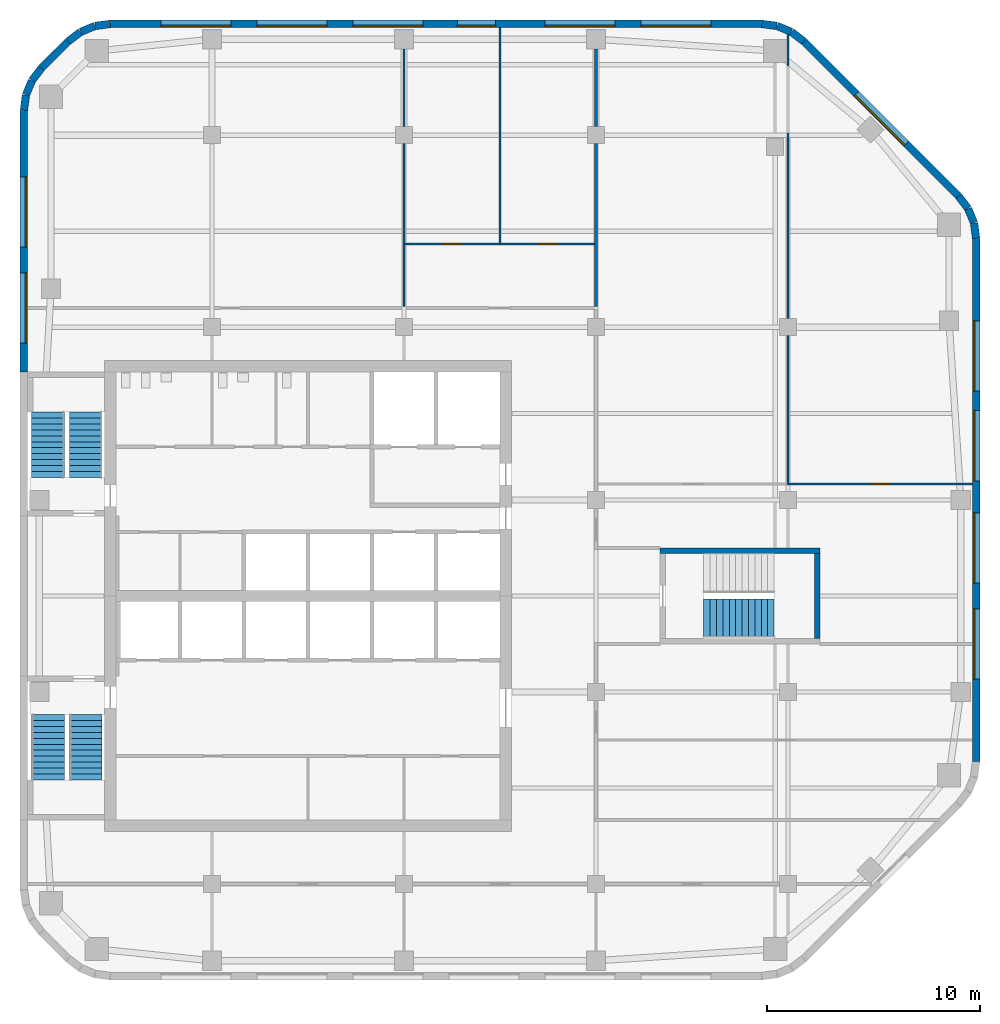
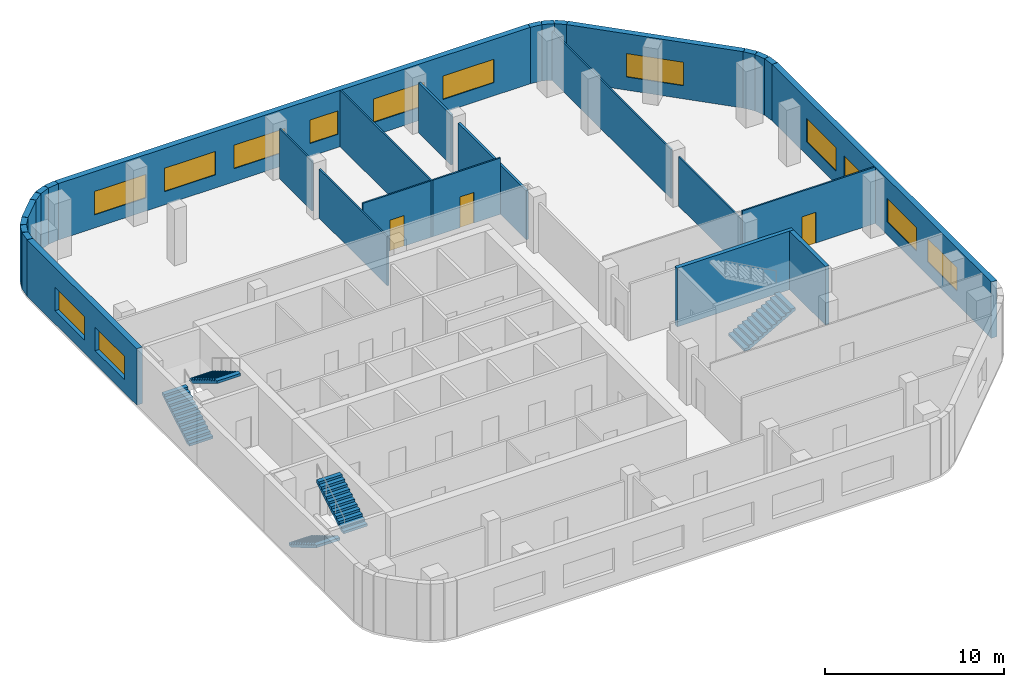
# One storey, part 5 of 8: 29 walls, 13 windows, 5 stair flights, 3 doors, 16 openings, 3 elements without a shape of their own.
"""IFC4 building model written with IfcOpenShell, lengths in metres."""

from ifc_helpers import new_model, si_unit, direction, frame, frame_2d, origin, place, context, subcontext, project, spatial, polyline, rectangle, outline, extrude, material, layer, layer_set, type_object, element, fill, aggregate, save


model = new_model("IFC4")

# Units and contexts
model_context = context("Model", 3, precision=1e-05, world=origin(), true_north=direction((0.0, 1.0)))
body_context = subcontext(model_context, "Body", "Model", "MODEL_VIEW")
ifc_project = project(units=[si_unit("LENGTHUNIT", "METRE"), si_unit("AREAUNIT", "SQUARE_METRE"), si_unit("VOLUMEUNIT", "CUBIC_METRE"), si_unit("PLANEANGLEUNIT", "RADIAN"), si_unit("MASSUNIT", "GRAM", prefix="KILO")], contexts=[model_context])

# Site, building, storey
site_placement = place(None, origin())
site = spatial("IfcSite", under=ifc_project, at=site_placement, CompositionType="ELEMENT")
building_placement = place(site_placement, origin())
building = spatial("IfcBuilding", under=site, at=building_placement, Name="Cinnabar Reach Civic Tower", CompositionType="ELEMENT")
storey_placement = place(building_placement, frame((0.0, 0.0, 206.0)))
storey = spatial("IfcBuildingStorey", under=building, at=storey_placement, Name="L49", CompositionType="ELEMENT", Elevation=206.0)

# Walls
ifc_material_1 = material(Name="Facing brick with insulated backing", Category="masonry")
ifc_layer_1 = layer(ifc_material_1, 0.36)
ifc_layer_set_1 = layer_set([ifc_layer_1], Name="Brick corner wall")
wall_type_1 = type_object("IfcWallType", Name="Brick corner wall", PredefinedType="STANDARD", material=ifc_layer_set_1)
for number, where, z_axis, x_axis, name in (
    (1, (44.817, 48.2686, 0.0), (0.0, 0.0, 1.0), (-0.13055608231, 0.99144092581, 0.0), "Brick corner wall"),
    (2, (44.7181, 48.9973, 0.0), (0.0, 0.0, 1.0), (-0.382702709855, 0.923871547278, 0.0), "Brick corner wall"),
):
    element("IfcWall", number, at=place(storey_placement, frame(where, z_axis=z_axis, x_axis=x_axis)), inside=storey, type_object=wall_type_1, Name=name, PredefinedType="STANDARD", context=body_context, shape_type="SweptSolid", body=[
        extrude(rectangle(XDim=0.7131, YDim=0.36, at=frame_2d((0.3565, 0.0))), origin(), (0.0, 0.0, 1.0), 3.85),
    ])
for number, where, z_axis, x_axis, name in (
    (3, (44.434, 49.6755, 0.0), (0.0, 0.0, 1.0), (-0.608802368033, 0.793321924995, 0.0), "Brick corner wall"),
    (4, (36.7413, 57.4998, 0.0), (0.0, 0.0, 1.0), (-0.793321924995, 0.608802368033, 0.0), "Brick corner wall"),
):
    element("IfcWall", number, at=place(storey_placement, frame(where, z_axis=z_axis, x_axis=x_axis)), inside=storey, type_object=wall_type_1, Name=name, PredefinedType="STANDARD", context=body_context, shape_type="SweptSolid", body=[
        extrude(rectangle(XDim=0.7132, YDim=0.36, at=frame_2d((0.3566, 0.0))), origin(), (0.0, 0.0, 1.0), 3.85),
    ])
for number, where, z_axis, x_axis, name in (
    (5, (36.1561, 57.9452, 0.0), (0.0, 0.0, 1.0), (-0.923871547278, 0.382702709855, 0.0), "Brick corner wall"),
    (6, (35.4756, 58.2239, 0.0), (0.0, 0.0, 1.0), (-0.99144092581, 0.13055608231, 0.0), "Brick corner wall"),
    (7, (4.2314, 58.317, 0.0), (0.0, 0.0, 1.0), (-0.99144092581, -0.13055608231, 0.0), "Brick corner wall"),
    (8, (3.5027, 58.2181, 0.0), (0.0, 0.0, 1.0), (-0.923871547278, -0.382702709855, 0.0), "Brick corner wall"),
):
    element("IfcWall", number, at=place(storey_placement, frame(where, z_axis=z_axis, x_axis=x_axis)), inside=storey, type_object=wall_type_1, Name=name, PredefinedType="STANDARD", context=body_context, shape_type="SweptSolid", body=[
        extrude(rectangle(XDim=0.7131, YDim=0.36, at=frame_2d((0.3565, 0.0))), origin(), (0.0, 0.0, 1.0), 3.85),
    ])
for number, where, z_axis, x_axis, name in (
    (9, (2.8245, 57.934, 0.0), (0.0, 0.0, 1.0), (-0.793321924995, -0.608802368033, 0.0), "Brick corner wall"),
    (10, (1.0002, 56.2413, 0.0), (0.0, 0.0, 1.0), (-0.608802368033, -0.793321924995, 0.0), "Brick corner wall"),
):
    element("IfcWall", number, at=place(storey_placement, frame(where, z_axis=z_axis, x_axis=x_axis)), inside=storey, type_object=wall_type_1, Name=name, PredefinedType="STANDARD", context=body_context, shape_type="SweptSolid", body=[
        extrude(rectangle(XDim=0.7132, YDim=0.36, at=frame_2d((0.3566, 0.0))), origin(), (0.0, 0.0, 1.0), 3.85),
    ])
for number, where, z_axis, x_axis, name in (
    (11, (0.5548, 55.6561, 0.0), (0.0, 0.0, 1.0), (-0.382702709855, -0.923871547278, 0.0), "Brick corner wall"),
    (12, (0.2761, 54.9756, 0.0), (0.0, 0.0, 1.0), (-0.13055608231, -0.99144092581, 0.0), "Brick corner wall"),
):
    element("IfcWall", number, at=place(storey_placement, frame(where, z_axis=z_axis, x_axis=x_axis)), inside=storey, type_object=wall_type_1, Name=name, PredefinedType="STANDARD", context=body_context, shape_type="SweptSolid", body=[
        extrude(rectangle(XDim=0.7131, YDim=0.36, at=frame_2d((0.3565, 0.0))), origin(), (0.0, 0.0, 1.0), 3.85),
    ])

# Wall, openings, windows
ifc_layer_2 = layer(ifc_material_1, 0.36)
ifc_layer_set_2 = layer_set([ifc_layer_2], Name="Brick pier and spandrel wall")
wall_type_2 = type_object("IfcWallType", Name="Brick pier and spandrel wall", PredefinedType="STANDARD", material=ifc_layer_set_2)
wall_1_placement = place(storey_placement, frame((44.82, 23.7426, 0.0), z_axis=(0.0, 0.0, 1.0), x_axis=(0.0, 1.0, 0.0)))
wall_1 = element("IfcWall", 13, at=wall_1_placement, inside=storey, type_object=wall_type_2, Name="Brick facade wall", PredefinedType="STANDARD", context=body_context, shape_type="SweptSolid", body=[
    extrude(rectangle(XDim=24.5148, YDim=0.36, at=frame_2d((12.2574, 0.0))), origin(), (0.0, 0.0, 1.0), 3.85),
])
opening_1_placement = place(wall_1_placement, frame((3.8574, 0.0, 0.9)))
opening_1 = element("IfcOpeningElement", 14, at=opening_1_placement, cuts=wall_1, Name="Opening W2007", PredefinedType="OPENING", context=body_context, shape_type="SweptSolid", body=[
    extrude(rectangle(XDim=3.3, YDim=1.6, at=frame_2d((1.65, 0.8))), frame((0.0, 0.19, 0.0), z_axis=(0.0, -1.0, 0.0), x_axis=(1.0, 0.0, 0.0)), (0.0, 0.0, 1.0), 0.38),
])
opening_2_placement = place(wall_1_placement, frame((8.3574, 0.0, 0.9)))
opening_2 = element("IfcOpeningElement", 15, at=opening_2_placement, cuts=wall_1, Name="Opening W2008", PredefinedType="OPENING", context=body_context, shape_type="SweptSolid", body=[
    extrude(rectangle(XDim=3.3, YDim=1.6, at=frame_2d((1.65, 0.8))), frame((0.0, 0.19, 0.0), z_axis=(0.0, -1.0, 0.0), x_axis=(1.0, 0.0, 0.0)), (0.0, 0.0, 1.0), 0.38),
])
opening_3_placement = place(wall_1_placement, frame((13.1574, 0.0, 0.9)))
opening_3 = element("IfcOpeningElement", 16, at=opening_3_placement, cuts=wall_1, Name="Opening W2009", PredefinedType="OPENING", context=body_context, shape_type="SweptSolid", body=[
    extrude(rectangle(XDim=3.3, YDim=1.6, at=frame_2d((1.65, 0.8))), frame((0.0, 0.19, 0.0), z_axis=(0.0, -1.0, 0.0), x_axis=(1.0, 0.0, 0.0)), (0.0, 0.0, 1.0), 0.38),
])
opening_4_placement = place(wall_1_placement, frame((17.3574, 0.0, 0.9)))
opening_4 = element("IfcOpeningElement", 17, at=opening_4_placement, cuts=wall_1, Name="Opening W2010", PredefinedType="OPENING", context=body_context, shape_type="SweptSolid", body=[
    extrude(rectangle(XDim=3.3, YDim=1.6, at=frame_2d((1.65, 0.8))), frame((0.0, 0.19, 0.0), z_axis=(0.0, -1.0, 0.0), x_axis=(1.0, 0.0, 0.0)), (0.0, 0.0, 1.0), 0.38),
])
ifc_material_2 = material(Name="Clear double glazing in aluminium frame", Category="aluminium")
window_type_1 = type_object("IfcWindowType", Name="Deep-set window A", PartitioningType="SINGLE_PANEL", PredefinedType="WINDOW", material=ifc_material_2)
window_1_placement = place(opening_1_placement, origin())
window_1 = element("IfcWindow", 18, at=window_1_placement, inside=storey, type_object=window_type_1, Name="Window east face", OverallHeight=1.6, OverallWidth=3.3, PartitioningType="SINGLE_PANEL", PredefinedType="WINDOW", context=body_context, shape_type="SweptSolid", body=[
    extrude(rectangle(XDim=3.3, YDim=1.6, at=frame_2d((1.65, 0.8))), frame((0.0, 0.13, 0.0), z_axis=(0.0, -1.0, 0.0), x_axis=(1.0, 0.0, 0.0)), (0.0, 0.0, 1.0), 0.06),
])
fill(opening_1, window_1)
window_2_placement = place(opening_2_placement, origin())
window_2 = element("IfcWindow", 19, at=window_2_placement, inside=storey, type_object=window_type_1, Name="Window east face", OverallHeight=1.6, OverallWidth=3.3, PartitioningType="SINGLE_PANEL", PredefinedType="WINDOW", context=body_context, shape_type="SweptSolid", body=[
    extrude(rectangle(XDim=3.3, YDim=1.6, at=frame_2d((1.65, 0.8))), frame((0.0, 0.13, 0.0), z_axis=(0.0, -1.0, 0.0), x_axis=(1.0, 0.0, 0.0)), (0.0, 0.0, 1.0), 0.06),
])
fill(opening_2, window_2)
window_3_placement = place(opening_3_placement, origin())
window_3 = element("IfcWindow", 20, at=window_3_placement, inside=storey, type_object=window_type_1, Name="Window east face", OverallHeight=1.6, OverallWidth=3.3, PartitioningType="SINGLE_PANEL", PredefinedType="WINDOW", context=body_context, shape_type="SweptSolid", body=[
    extrude(rectangle(XDim=3.3, YDim=1.6, at=frame_2d((1.65, 0.8))), frame((0.0, 0.13, 0.0), z_axis=(0.0, -1.0, 0.0), x_axis=(1.0, 0.0, 0.0)), (0.0, 0.0, 1.0), 0.06),
])
fill(opening_3, window_3)
window_4_placement = place(opening_4_placement, origin())
window_4 = element("IfcWindow", 21, at=window_4_placement, inside=storey, type_object=window_type_1, Name="Window east face", OverallHeight=1.6, OverallWidth=3.3, PartitioningType="SINGLE_PANEL", PredefinedType="WINDOW", context=body_context, shape_type="SweptSolid", body=[
    extrude(rectangle(XDim=3.3, YDim=1.6, at=frame_2d((1.65, 0.8))), frame((0.0, 0.13, 0.0), z_axis=(0.0, -1.0, 0.0), x_axis=(1.0, 0.0, 0.0)), (0.0, 0.0, 1.0), 0.06),
])
fill(opening_4, window_4)

# Wall, opening, window
wall_2_placement = place(storey_placement, frame((43.994, 50.2514, 0.0), z_axis=(0.0, 0.0, 1.0), x_axis=(-0.707106781187, 0.707106781187, 0.0)))
wall_2 = element("IfcWall", 22, at=wall_2_placement, inside=storey, type_object=wall_type_2, Name="Brick facade wall", PredefinedType="STANDARD", context=body_context, shape_type="SweptSolid", body=[
    extrude(rectangle(XDim=10.2426, YDim=0.36, at=frame_2d((5.1213, 0.0))), origin(), (0.0, 0.0, 1.0), 3.85),
])
opening_5_placement = place(wall_2_placement, frame((3.4713, 0.0, 0.9)))
opening_5 = element("IfcOpeningElement", 23, at=opening_5_placement, cuts=wall_2, Name="Opening W2011", PredefinedType="OPENING", context=body_context, shape_type="SweptSolid", body=[
    extrude(rectangle(XDim=3.3, YDim=1.6, at=frame_2d((1.65, 0.8))), frame((0.0, 0.19, 0.0), z_axis=(0.0, -1.0, 0.0), x_axis=(1.0, 0.0, 0.0)), (0.0, 0.0, 1.0), 0.38),
])
window_5_placement = place(opening_5_placement, origin())
window_5 = element("IfcWindow", 24, at=window_5_placement, inside=storey, type_object=window_type_1, Name="Window northeast face", OverallHeight=1.6, OverallWidth=3.3, PartitioningType="SINGLE_PANEL", PredefinedType="WINDOW", context=body_context, shape_type="SweptSolid", body=[
    extrude(rectangle(XDim=3.3, YDim=1.6, at=frame_2d((1.65, 0.8))), frame((0.0, 0.13, 0.0), z_axis=(0.0, -1.0, 0.0), x_axis=(1.0, 0.0, 0.0)), (0.0, 0.0, 1.0), 0.06),
])
fill(opening_5, window_5)

# Wall, openings, windows
wall_3_placement = place(storey_placement, frame((34.7574, 58.32, 0.0), z_axis=(0.0, 0.0, 1.0), x_axis=(-1.0, 0.0, 0.0)))
wall_3 = element("IfcWall", 25, at=wall_3_placement, inside=storey, type_object=wall_type_2, Name="Brick facade wall", PredefinedType="STANDARD", context=body_context, shape_type="SweptSolid", body=[
    extrude(rectangle(XDim=30.5148, YDim=0.36, at=frame_2d((15.2574, 0.0))), origin(), (0.0, 0.0, 1.0), 3.85),
])
opening_6_placement = place(wall_3_placement, frame((2.3574, 0.0, 0.9)))
opening_6 = element("IfcOpeningElement", 26, at=opening_6_placement, cuts=wall_3, Name="Opening W2012", PredefinedType="OPENING", context=body_context, shape_type="SweptSolid", body=[
    extrude(rectangle(XDim=3.3, YDim=1.6, at=frame_2d((1.65, 0.8))), frame((0.0, 0.19, 0.0), z_axis=(0.0, -1.0, 0.0), x_axis=(1.0, 0.0, 0.0)), (0.0, 0.0, 1.0), 0.38),
])
opening_7_placement = place(wall_3_placement, frame((6.8574, 0.0, 0.9)))
opening_7 = element("IfcOpeningElement", 27, at=opening_7_placement, cuts=wall_3, Name="Opening W2013", PredefinedType="OPENING", context=body_context, shape_type="SweptSolid", body=[
    extrude(rectangle(XDim=3.3, YDim=1.6, at=frame_2d((1.65, 0.8))), frame((0.0, 0.19, 0.0), z_axis=(0.0, -1.0, 0.0), x_axis=(1.0, 0.0, 0.0)), (0.0, 0.0, 1.0), 0.38),
])
opening_8_placement = place(wall_3_placement, frame((12.4574, 0.0, 0.9)))
opening_8 = element("IfcOpeningElement", 28, at=opening_8_placement, cuts=wall_3, Name="Opening W2014", PredefinedType="OPENING", context=body_context, shape_type="SweptSolid", body=[
    extrude(rectangle(XDim=1.8, YDim=1.6, at=frame_2d((0.9, 0.8))), frame((0.0, 0.19, 0.0), z_axis=(0.0, -1.0, 0.0), x_axis=(1.0, 0.0, 0.0)), (0.0, 0.0, 1.0), 0.38),
])
opening_9_placement = place(wall_3_placement, frame((15.8574, 0.0, 0.9)))
opening_9 = element("IfcOpeningElement", 29, at=opening_9_placement, cuts=wall_3, Name="Opening W2015", PredefinedType="OPENING", context=body_context, shape_type="SweptSolid", body=[
    extrude(rectangle(XDim=3.3, YDim=1.6, at=frame_2d((1.65, 0.8))), frame((0.0, 0.19, 0.0), z_axis=(0.0, -1.0, 0.0), x_axis=(1.0, 0.0, 0.0)), (0.0, 0.0, 1.0), 0.38),
])
opening_10_placement = place(wall_3_placement, frame((20.3574, 0.0, 0.9)))
opening_10 = element("IfcOpeningElement", 30, at=opening_10_placement, cuts=wall_3, Name="Opening W2016", PredefinedType="OPENING", context=body_context, shape_type="SweptSolid", body=[
    extrude(rectangle(XDim=3.3, YDim=1.6, at=frame_2d((1.65, 0.8))), frame((0.0, 0.19, 0.0), z_axis=(0.0, -1.0, 0.0), x_axis=(1.0, 0.0, 0.0)), (0.0, 0.0, 1.0), 0.38),
])
opening_11_placement = place(wall_3_placement, frame((24.8574, 0.0, 0.9)))
opening_11 = element("IfcOpeningElement", 31, at=opening_11_placement, cuts=wall_3, Name="Opening W2017", PredefinedType="OPENING", context=body_context, shape_type="SweptSolid", body=[
    extrude(rectangle(XDim=3.3, YDim=1.6, at=frame_2d((1.65, 0.8))), frame((0.0, 0.19, 0.0), z_axis=(0.0, -1.0, 0.0), x_axis=(1.0, 0.0, 0.0)), (0.0, 0.0, 1.0), 0.38),
])
window_6_placement = place(opening_6_placement, origin())
window_6 = element("IfcWindow", 32, at=window_6_placement, inside=storey, type_object=window_type_1, Name="Window north face", OverallHeight=1.6, OverallWidth=3.3, PartitioningType="SINGLE_PANEL", PredefinedType="WINDOW", context=body_context, shape_type="SweptSolid", body=[
    extrude(rectangle(XDim=3.3, YDim=1.6, at=frame_2d((1.65, 0.8))), frame((0.0, 0.13, 0.0), z_axis=(0.0, -1.0, 0.0), x_axis=(1.0, 0.0, 0.0)), (0.0, 0.0, 1.0), 0.06),
])
fill(opening_6, window_6)
window_7_placement = place(opening_7_placement, origin())
window_7 = element("IfcWindow", 33, at=window_7_placement, inside=storey, type_object=window_type_1, Name="Window north face", OverallHeight=1.6, OverallWidth=3.3, PartitioningType="SINGLE_PANEL", PredefinedType="WINDOW", context=body_context, shape_type="SweptSolid", body=[
    extrude(rectangle(XDim=3.3, YDim=1.6, at=frame_2d((1.65, 0.8))), frame((0.0, 0.13, 0.0), z_axis=(0.0, -1.0, 0.0), x_axis=(1.0, 0.0, 0.0)), (0.0, 0.0, 1.0), 0.06),
])
fill(opening_7, window_7)
window_8_placement = place(opening_9_placement, origin())
window_8 = element("IfcWindow", 34, at=window_8_placement, inside=storey, type_object=window_type_1, Name="Window north face", OverallHeight=1.6, OverallWidth=3.3, PartitioningType="SINGLE_PANEL", PredefinedType="WINDOW", context=body_context, shape_type="SweptSolid", body=[
    extrude(rectangle(XDim=3.3, YDim=1.6, at=frame_2d((1.65, 0.8))), frame((0.0, 0.13, 0.0), z_axis=(0.0, -1.0, 0.0), x_axis=(1.0, 0.0, 0.0)), (0.0, 0.0, 1.0), 0.06),
])
fill(opening_9, window_8)
window_9_placement = place(opening_10_placement, origin())
window_9 = element("IfcWindow", 35, at=window_9_placement, inside=storey, type_object=window_type_1, Name="Window north face", OverallHeight=1.6, OverallWidth=3.3, PartitioningType="SINGLE_PANEL", PredefinedType="WINDOW", context=body_context, shape_type="SweptSolid", body=[
    extrude(rectangle(XDim=3.3, YDim=1.6, at=frame_2d((1.65, 0.8))), frame((0.0, 0.13, 0.0), z_axis=(0.0, -1.0, 0.0), x_axis=(1.0, 0.0, 0.0)), (0.0, 0.0, 1.0), 0.06),
])
fill(opening_10, window_9)
window_10_placement = place(opening_11_placement, origin())
window_10 = element("IfcWindow", 36, at=window_10_placement, inside=storey, type_object=window_type_1, Name="Window north face", OverallHeight=1.6, OverallWidth=3.3, PartitioningType="SINGLE_PANEL", PredefinedType="WINDOW", context=body_context, shape_type="SweptSolid", body=[
    extrude(rectangle(XDim=3.3, YDim=1.6, at=frame_2d((1.65, 0.8))), frame((0.0, 0.13, 0.0), z_axis=(0.0, -1.0, 0.0), x_axis=(1.0, 0.0, 0.0)), (0.0, 0.0, 1.0), 0.06),
])
fill(opening_11, window_10)
window_type_2 = type_object("IfcWindowType", Name="Deep-set window D", PartitioningType="SINGLE_PANEL", PredefinedType="WINDOW", material=ifc_material_2)
window_11_placement = place(opening_8_placement, origin())
window_11 = element("IfcWindow", 37, at=window_11_placement, inside=storey, type_object=window_type_2, Name="Window north face", OverallHeight=1.6, OverallWidth=1.8, PartitioningType="SINGLE_PANEL", PredefinedType="WINDOW", context=body_context, shape_type="SweptSolid", body=[
    extrude(rectangle(XDim=1.8, YDim=1.6, at=frame_2d((0.9, 0.8))), frame((0.0, 0.13, 0.0), z_axis=(0.0, -1.0, 0.0), x_axis=(1.0, 0.0, 0.0)), (0.0, 0.0, 1.0), 0.06),
])
fill(opening_8, window_11)

# Wall
wall_4_placement = place(storey_placement, frame((2.2486, 57.494, 0.0), z_axis=(0.0, 0.0, 1.0), x_axis=(-0.707106781187, -0.707106781187, 0.0)))
element("IfcWall", 38, at=wall_4_placement, inside=storey, type_object=wall_type_2, Name="Brick facade wall", PredefinedType="STANDARD", context=body_context, shape_type="SweptSolid", body=[
    extrude(rectangle(XDim=1.7573, YDim=0.36, at=frame_2d((0.8787, 0.0))), origin(), (0.0, 0.0, 1.0), 3.85),
])

# Wall, openings, windows
wall_5_placement = place(storey_placement, frame((0.18, 54.2574, 0.0), z_axis=(0.0, 0.0, 1.0), x_axis=(0.0, -1.0, 0.0)))
wall_5 = element("IfcWall", 39, at=wall_5_placement, inside=storey, type_object=wall_type_2, Name="Brick facade wall", PredefinedType="STANDARD", context=body_context, shape_type="SweptSolid", body=[
    extrude(rectangle(XDim=12.2574, YDim=0.36, at=frame_2d((6.1287, 0.0))), origin(), (0.0, 0.0, 1.0), 3.85),
])
opening_12_placement = place(wall_5_placement, frame((3.1074, 0.0, 0.9)))
opening_12 = element("IfcOpeningElement", 40, at=opening_12_placement, cuts=wall_5, Name="Opening W2018", PredefinedType="OPENING", context=body_context, shape_type="SweptSolid", body=[
    extrude(rectangle(XDim=3.3, YDim=1.6, at=frame_2d((1.65, 0.8))), frame((0.0, 0.19, 0.0), z_axis=(0.0, -1.0, 0.0), x_axis=(1.0, 0.0, 0.0)), (0.0, 0.0, 1.0), 0.38),
])
opening_13_placement = place(wall_5_placement, frame((7.6074, 0.0, 0.9)))
opening_13 = element("IfcOpeningElement", 41, at=opening_13_placement, cuts=wall_5, Name="Opening W2019", PredefinedType="OPENING", context=body_context, shape_type="SweptSolid", body=[
    extrude(rectangle(XDim=3.3, YDim=1.6, at=frame_2d((1.65, 0.8))), frame((0.0, 0.19, 0.0), z_axis=(0.0, -1.0, 0.0), x_axis=(1.0, 0.0, 0.0)), (0.0, 0.0, 1.0), 0.38),
])
window_12_placement = place(opening_12_placement, origin())
window_12 = element("IfcWindow", 42, at=window_12_placement, inside=storey, type_object=window_type_1, Name="Window west face", OverallHeight=1.6, OverallWidth=3.3, PartitioningType="SINGLE_PANEL", PredefinedType="WINDOW", context=body_context, shape_type="SweptSolid", body=[
    extrude(rectangle(XDim=3.3, YDim=1.6, at=frame_2d((1.65, 0.8))), frame((0.0, 0.13, 0.0), z_axis=(0.0, -1.0, 0.0), x_axis=(1.0, 0.0, 0.0)), (0.0, 0.0, 1.0), 0.06),
])
fill(opening_12, window_12)
window_13_placement = place(opening_13_placement, origin())
window_13 = element("IfcWindow", 43, at=window_13_placement, inside=storey, type_object=window_type_1, Name="Window west face", OverallHeight=1.6, OverallWidth=3.3, PartitioningType="SINGLE_PANEL", PredefinedType="WINDOW", context=body_context, shape_type="SweptSolid", body=[
    extrude(rectangle(XDim=3.3, YDim=1.6, at=frame_2d((1.65, 0.8))), frame((0.0, 0.13, 0.0), z_axis=(0.0, -1.0, 0.0), x_axis=(1.0, 0.0, 0.0)), (0.0, 0.0, 1.0), 0.06),
])
fill(opening_13, window_13)

# Walls
ifc_material_3 = material(Name="Gypsum board on steel studs", Category="steel")
ifc_layer_3 = layer(ifc_material_3, 0.1)
ifc_layer_set_3 = layer_set([ifc_layer_3], Name="Partition wall 100 T1")
wall_type_3 = type_object("IfcWallType", Name="Partition wall 100 T1", PredefinedType="PARTITIONING", material=ifc_layer_set_3)
wall_6_placement = place(storey_placement, frame((36.0, 36.7, 0.0), z_axis=(0.0, 0.0, 1.0), x_axis=(0.0, 1.0, 0.0)))
element("IfcWall", 44, at=wall_6_placement, inside=storey, type_object=wall_type_3, Name="Partition wall 42", PredefinedType="PARTITIONING", context=body_context, shape_type="SweptSolid", body=[
    extrude(rectangle(XDim=7.0, YDim=0.1, at=frame_2d((3.5, 0.0))), origin(), (0.0, 0.0, 1.0), 3.35),
])
wall_7_placement = place(storey_placement, frame((36.0, 44.5, 0.0), z_axis=(0.0, 0.0, 1.0), x_axis=(0.0, 1.0, 0.0)))
element("IfcWall", 45, at=wall_7_placement, inside=storey, type_object=wall_type_3, Name="Partition wall 43", PredefinedType="PARTITIONING", context=body_context, shape_type="SweptSolid", body=[
    extrude(rectangle(XDim=13.315, YDim=0.1, at=frame_2d((6.6575, 0.0))), origin(), (0.0, 0.0, 1.0), 3.35),
])

# Wall, opening, door
wall_8_placement = place(storey_placement, frame((36.05, 36.75, 0.0), z_axis=(0.0, 0.0, 1.0), x_axis=(1.0, 0.0, 0.0)))
wall_8 = element("IfcWall", 46, at=wall_8_placement, inside=storey, type_object=wall_type_3, Name="Partition wall 46", PredefinedType="PARTITIONING", context=body_context, shape_type="SweptSolid", body=[
    extrude(rectangle(XDim=8.59, YDim=0.1, at=frame_2d((4.295, 0.0))), origin(), (0.0, 0.0, 1.0), 3.85),
])
opening_14_placement = place(wall_8_placement, frame((3.85, 0.0, 0.0)))
opening_14 = element("IfcOpeningElement", 47, at=opening_14_placement, cuts=wall_8, Name="Opening D5022", PredefinedType="OPENING", context=body_context, shape_type="SweptSolid", body=[
    extrude(rectangle(XDim=0.9, YDim=2.1, at=frame_2d((0.45, 1.05))), frame((0.0, 0.06, 0.0), z_axis=(0.0, -1.0, 0.0), x_axis=(1.0, 0.0, 0.0)), (0.0, 0.0, 1.0), 0.12),
])
ifc_material_4 = material(Name="Timber door leaf in steel frame", Category="steel")
door_type = type_object("IfcDoorType", Name="Single swing door 900 x 2100 T1", OperationType="SINGLE_SWING_LEFT", PredefinedType="DOOR", material=ifc_material_4)
door_1_placement = place(opening_14_placement, frame((0.9, 0.0, 0.0), z_axis=(0.0, 0.0, 1.0), x_axis=(-1.0, 0.0, 0.0)))
door_1 = element("IfcDoor", 48, at=door_1_placement, inside=storey, type_object=door_type, Name="Door D5022", OperationType="SINGLE_SWING_RIGHT", OverallHeight=2.1, OverallWidth=0.9, PredefinedType="DOOR", context=body_context, shape_type="SweptSolid", body=[
    extrude(rectangle(XDim=0.9, YDim=2.1, at=frame_2d((0.45, 1.05))), frame((0.0, 0.025, 0.0), z_axis=(0.0, -1.0, 0.0), x_axis=(1.0, 0.0, 0.0)), (0.0, 0.0, 1.0), 0.05),
])
fill(opening_14, door_1)

# Walls
wall_9_placement = place(storey_placement, frame((18.0, 45.075, 0.0), z_axis=(0.0, 0.0, 1.0), x_axis=(0.0, 1.0, 0.0)))
element("IfcWall", 49, at=wall_9_placement, inside=storey, type_object=wall_type_3, Name="Partition wall 47", PredefinedType="PARTITIONING", context=body_context, shape_type="SweptSolid", body=[
    extrude(rectangle(XDim=7.625, YDim=0.1, at=frame_2d((3.8125, 0.0))), origin(), (0.0, 0.0, 1.0), 3.35),
])
wall_10_placement = place(storey_placement, frame((18.0, 53.5, 0.0), z_axis=(0.0, 0.0, 1.0), x_axis=(0.0, 1.0, 0.0)))
element("IfcWall", 50, at=wall_10_placement, inside=storey, type_object=wall_type_3, Name="Partition wall 48", PredefinedType="PARTITIONING", context=body_context, shape_type="SweptSolid", body=[
    extrude(rectangle(XDim=3.65, YDim=0.1, at=frame_2d((1.825, 0.0))), origin(), (0.0, 0.0, 1.0), 3.41),
])
wall_11_placement = place(storey_placement, frame((22.5, 47.95, 0.0), z_axis=(0.0, 0.0, 1.0), x_axis=(0.0, 1.0, 0.0)))
element("IfcWall", 51, at=wall_11_placement, inside=storey, type_object=wall_type_3, Name="Partition wall 49", PredefinedType="PARTITIONING", context=body_context, shape_type="SweptSolid", body=[
    extrude(rectangle(XDim=10.19, YDim=0.1, at=frame_2d((5.095, 0.0))), origin(), (0.0, 0.0, 1.0), 3.85),
])

# Wall, opening, door
wall_12_placement = place(storey_placement, frame((18.05, 48.0, 0.0), z_axis=(0.0, 0.0, 1.0), x_axis=(1.0, 0.0, 0.0)))
wall_12 = element("IfcWall", 52, at=wall_12_placement, inside=storey, type_object=wall_type_3, Name="Partition wall 50", PredefinedType="PARTITIONING", context=body_context, shape_type="SweptSolid", body=[
    extrude(rectangle(XDim=4.4, YDim=0.1, at=frame_2d((2.2, 0.0))), origin(), (0.0, 0.0, 1.0), 3.85),
])
opening_15_placement = place(wall_12_placement, frame((1.75, 0.0, 0.0)))
opening_15 = element("IfcOpeningElement", 53, at=opening_15_placement, cuts=wall_12, Name="Opening D5030", PredefinedType="OPENING", context=body_context, shape_type="SweptSolid", body=[
    extrude(rectangle(XDim=0.9, YDim=2.1, at=frame_2d((0.45, 1.05))), frame((0.0, 0.06, 0.0), z_axis=(0.0, -1.0, 0.0), x_axis=(1.0, 0.0, 0.0)), (0.0, 0.0, 1.0), 0.12),
])
door_2_placement = place(opening_15_placement, frame((0.9, 0.0, 0.0), z_axis=(0.0, 0.0, 1.0), x_axis=(-1.0, 0.0, 0.0)))
door_2 = element("IfcDoor", 54, at=door_2_placement, inside=storey, type_object=door_type, Name="Door D5030", OperationType="SINGLE_SWING_RIGHT", OverallHeight=2.1, OverallWidth=0.9, PredefinedType="DOOR", context=body_context, shape_type="SweptSolid", body=[
    extrude(rectangle(XDim=0.9, YDim=2.1, at=frame_2d((0.45, 1.05))), frame((0.0, 0.025, 0.0), z_axis=(0.0, -1.0, 0.0), x_axis=(1.0, 0.0, 0.0)), (0.0, 0.0, 1.0), 0.05),
])
fill(opening_15, door_2)

wall_13_placement = place(storey_placement, frame((22.55, 48.0, 0.0), z_axis=(0.0, 0.0, 1.0), x_axis=(1.0, 0.0, 0.0)))
wall_13 = element("IfcWall", 55, at=wall_13_placement, inside=storey, type_object=wall_type_3, Name="Partition wall 51", PredefinedType="PARTITIONING", context=body_context, shape_type="SweptSolid", body=[
    extrude(rectangle(XDim=4.375, YDim=0.1, at=frame_2d((2.1875, 0.0))), origin(), (0.0, 0.0, 1.0), 3.85),
])
opening_16_placement = place(wall_13_placement, frame((1.75, 0.0, 0.0)))
opening_16 = element("IfcOpeningElement", 56, at=opening_16_placement, cuts=wall_13, Name="Opening D5031", PredefinedType="OPENING", context=body_context, shape_type="SweptSolid", body=[
    extrude(rectangle(XDim=0.9, YDim=2.1, at=frame_2d((0.45, 1.05))), frame((0.0, 0.06, 0.0), z_axis=(0.0, -1.0, 0.0), x_axis=(1.0, 0.0, 0.0)), (0.0, 0.0, 1.0), 0.12),
])
door_3_placement = place(opening_16_placement, frame((0.9, 0.0, 0.0), z_axis=(0.0, 0.0, 1.0), x_axis=(-1.0, 0.0, 0.0)))
door_3 = element("IfcDoor", 57, at=door_3_placement, inside=storey, type_object=door_type, Name="Door D5031", OperationType="SINGLE_SWING_RIGHT", OverallHeight=2.1, OverallWidth=0.9, PredefinedType="DOOR", context=body_context, shape_type="SweptSolid", body=[
    extrude(rectangle(XDim=0.9, YDim=2.1, at=frame_2d((0.45, 1.05))), frame((0.0, 0.025, 0.0), z_axis=(0.0, -1.0, 0.0), x_axis=(1.0, 0.0, 0.0)), (0.0, 0.0, 1.0), 0.05),
])
fill(opening_16, door_3)

# Walls
ifc_material_5 = material(Name="Concrete C60", Category="concrete")
ifc_layer_4 = layer(ifc_material_5, 0.25)
ifc_layer_set_4 = layer_set([ifc_layer_4], Name="Stair shaft wall 250 EI 120")
wall_type_4 = type_object("IfcWallType", Name="Stair shaft wall 250 EI 120", PredefinedType="SOLIDWALL", material=ifc_layer_set_4)
wall_14_placement = place(storey_placement, frame((37.5, 33.625, 0.0), z_axis=(0.0, 0.0, 1.0), x_axis=(-1.0, 0.0, 0.0)))
element("IfcWall", 58, at=wall_14_placement, inside=storey, type_object=wall_type_4, Name="Stair shaft wall T1-S3 L49", PredefinedType="SOLIDWALL", context=body_context, shape_type="SweptSolid", body=[
    extrude(rectangle(XDim=7.5, YDim=0.25, at=frame_2d((3.75, 0.0))), origin(), (0.0, 0.0, 1.0), 4.0),
])
wall_15_placement = place(storey_placement, frame((37.375, 29.5, 0.0), z_axis=(0.0, 0.0, 1.0), x_axis=(0.0, 1.0, 0.0)))
element("IfcWall", 59, at=wall_15_placement, inside=storey, type_object=wall_type_4, Name="Stair shaft wall T1-S3 L49", PredefinedType="SOLIDWALL", context=body_context, shape_type="SweptSolid", body=[
    extrude(rectangle(XDim=4.0, YDim=0.25, at=frame_2d((2.0, 0.0))), origin(), (0.0, 0.0, 1.0), 4.0),
])
ifc_material_6 = material(Name="Gypsum board on steel studs, double layer", Category="steel")
ifc_layer_5 = layer(ifc_material_6, 0.15)
ifc_layer_set_5 = layer_set([ifc_layer_5], Name="Tenancy separating wall 150 T1")
wall_type_5 = type_object("IfcWallType", Name="Tenancy separating wall 150 T1", PredefinedType="PARTITIONING", material=ifc_layer_set_5)
wall_16_placement = place(storey_placement, frame((27.0, 45.075, 0.0), z_axis=(0.0, 0.0, 1.0), x_axis=(0.0, 1.0, 0.0)))
element("IfcWall", 60, at=wall_16_placement, inside=storey, type_object=wall_type_5, Name="Tenancy separating wall 39", PredefinedType="PARTITIONING", context=body_context, shape_type="SweptSolid", body=[
    extrude(rectangle(XDim=7.625, YDim=0.15, at=frame_2d((3.8125, 0.0))), origin(), (0.0, 0.0, 1.0), 3.35),
])
wall_17_placement = place(storey_placement, frame((27.0, 53.5, 0.0), z_axis=(0.0, 0.0, 1.0), x_axis=(0.0, 1.0, 0.0)))
element("IfcWall", 61, at=wall_17_placement, inside=storey, type_object=wall_type_5, Name="Tenancy separating wall 40", PredefinedType="PARTITIONING", context=body_context, shape_type="SweptSolid", body=[
    extrude(rectangle(XDim=3.65, YDim=0.15, at=frame_2d((1.825, 0.0))), origin(), (0.0, 0.0, 1.0), 3.41),
])

# Stair, stair flights
ifc_material_7 = material(Name="Concrete C40/50", Category="concrete")
stair_type = type_object("IfcStairType", Name="T1 Exit stair, half-turn", PredefinedType="HALF_TURN_STAIR", material=ifc_material_7)
stair_1_placement = place(storey_placement, origin())
stair_1 = element("IfcStair", 62, at=stair_1_placement, inside=storey, type_object=stair_type, Name="Stair T1-S1", PredefinedType="HALF_TURN_STAIR")
stair_flight_type = type_object("IfcStairFlightType", Name="T1 Stair flight, concrete", PredefinedType="STRAIGHT", material=ifc_material_7)
stair_flight_1_placement = place(storey_placement, frame((1.3125, 25.95, 0.0), z_axis=(0.0, 0.0, 1.0), x_axis=(0.0, -1.0, 0.0)))
stair_flight_1 = element("IfcStairFlight", 63, at=stair_flight_1_placement, type_object=stair_flight_type, Name="T1-S1 flight 1", NumberOfRisers=12, NumberOfTreads=11, PredefinedType="STRAIGHT", RiserHeight=0.166666667, TreadLength=0.28, context=body_context, shape_type="SweptSolid", body=[
    extrude(outline(polyline([(0.0, 0.0), (0.0, 0.1667), (0.28, 0.1667), (0.28, 0.3333), (0.56, 0.3333), (0.56, 0.5), (0.84, 0.5), (0.84, 0.6667), (1.12, 0.6667), (1.12, 0.8333), (1.4, 0.8333), (1.4, 1.0), (1.68, 1.0), (1.68, 1.1667), (1.96, 1.1667), (1.96, 1.3333), (2.24, 1.3333), (2.24, 1.5), (2.52, 1.5), (2.52, 1.6667), (2.8, 1.6667), (2.8, 1.8333), (3.08, 1.8333), (3.08, 2.0), (3.08, 1.6588), (0.2933, 0.0), (0.0, 0.0)])), frame((0.0, 0.7625, 0.0), z_axis=(0.0, -1.0, 0.0), x_axis=(1.0, 0.0, 0.0)), (0.0, 0.0, 1.0), 1.525),
])
stair_flight_2_placement = place(storey_placement, frame((3.0875, 22.87, 2.0), z_axis=(0.0, 0.0, 1.0), x_axis=(0.0, 1.0, 0.0)))
stair_flight_2 = element("IfcStairFlight", 64, at=stair_flight_2_placement, type_object=stair_flight_type, Name="T1-S1 flight 2", NumberOfRisers=12, NumberOfTreads=11, PredefinedType="STRAIGHT", RiserHeight=0.166666667, TreadLength=0.28, context=body_context, shape_type="SweptSolid", body=[
    extrude(outline(polyline([(0.0, 0.0), (0.0, 0.1667), (0.28, 0.1667), (0.28, 0.3333), (0.56, 0.3333), (0.56, 0.5), (0.84, 0.5), (0.84, 0.6667), (1.12, 0.6667), (1.12, 0.8333), (1.4, 0.8333), (1.4, 1.0), (1.68, 1.0), (1.68, 1.1667), (1.96, 1.1667), (1.96, 1.3333), (2.24, 1.3333), (2.24, 1.5), (2.52, 1.5), (2.52, 1.6667), (2.8, 1.6667), (2.8, 1.8333), (3.08, 1.8333), (3.08, 2.0), (3.08, 1.6588), (0.2933, 0.0), (0.0, 0.0)])), frame((0.0, 0.7625, 0.0), z_axis=(0.0, -1.0, 0.0), x_axis=(1.0, 0.0, 0.0)), (0.0, 0.0, 1.0), 1.525),
])
aggregate(stair_1, [stair_flight_1, stair_flight_2])

stair_2_placement = place(storey_placement, origin())
stair_2 = element("IfcStair", 65, at=stair_2_placement, inside=storey, type_object=stair_type, Name="Stair T1-S2", PredefinedType="HALF_TURN_STAIR")
stair_flight_3_placement = place(storey_placement, frame((1.3125, 37.05, 0.0), z_axis=(0.0, 0.0, 1.0), x_axis=(0.0, 1.0, 0.0)))
stair_flight_3 = element("IfcStairFlight", 66, at=stair_flight_3_placement, type_object=stair_flight_type, Name="T1-S2 flight 1", NumberOfRisers=12, NumberOfTreads=11, PredefinedType="STRAIGHT", RiserHeight=0.166666667, TreadLength=0.28, context=body_context, shape_type="SweptSolid", body=[
    extrude(outline(polyline([(0.0, 0.0), (0.0, 0.1667), (0.28, 0.1667), (0.28, 0.3333), (0.56, 0.3333), (0.56, 0.5), (0.84, 0.5), (0.84, 0.6667), (1.12, 0.6667), (1.12, 0.8333), (1.4, 0.8333), (1.4, 1.0), (1.68, 1.0), (1.68, 1.1667), (1.96, 1.1667), (1.96, 1.3333), (2.24, 1.3333), (2.24, 1.5), (2.52, 1.5), (2.52, 1.6667), (2.8, 1.6667), (2.8, 1.8333), (3.08, 1.8333), (3.08, 2.0), (3.08, 1.6588), (0.2933, 0.0), (0.0, 0.0)])), frame((0.0, 0.7625, 0.0), z_axis=(0.0, -1.0, 0.0), x_axis=(1.0, 0.0, 0.0)), (0.0, 0.0, 1.0), 1.525),
])
stair_flight_4_placement = place(storey_placement, frame((3.0875, 40.13, 2.0), z_axis=(0.0, 0.0, 1.0), x_axis=(0.0, -1.0, 0.0)))
stair_flight_4 = element("IfcStairFlight", 67, at=stair_flight_4_placement, type_object=stair_flight_type, Name="T1-S2 flight 2", NumberOfRisers=12, NumberOfTreads=11, PredefinedType="STRAIGHT", RiserHeight=0.166666667, TreadLength=0.28, context=body_context, shape_type="SweptSolid", body=[
    extrude(outline(polyline([(0.0, 0.0), (0.0, 0.1667), (0.28, 0.1667), (0.28, 0.3333), (0.56, 0.3333), (0.56, 0.5), (0.84, 0.5), (0.84, 0.6667), (1.12, 0.6667), (1.12, 0.8333), (1.4, 0.8333), (1.4, 1.0), (1.68, 1.0), (1.68, 1.1667), (1.96, 1.1667), (1.96, 1.3333), (2.24, 1.3333), (2.24, 1.5), (2.52, 1.5), (2.52, 1.6667), (2.8, 1.6667), (2.8, 1.8333), (3.08, 1.8333), (3.08, 2.0), (3.08, 1.6588), (0.2933, 0.0), (0.0, 0.0)])), frame((0.0, 0.7625, 0.0), z_axis=(0.0, -1.0, 0.0), x_axis=(1.0, 0.0, 0.0)), (0.0, 0.0, 1.0), 1.525),
])
aggregate(stair_2, [stair_flight_3, stair_flight_4])

# Stair, stair flight
stair_3_placement = place(storey_placement, origin())
stair_3 = element("IfcStair", 68, at=stair_3_placement, inside=storey, type_object=stair_type, Name="Stair T1-S3", PredefinedType="HALF_TURN_STAIR")
stair_flight_5_placement = place(storey_placement, frame((32.05, 30.45, 0.0), z_axis=(0.0, 0.0, 1.0), x_axis=(1.0, 0.0, 0.0)))
stair_flight_5 = element("IfcStairFlight", 69, at=stair_flight_5_placement, type_object=stair_flight_type, Name="T1-S3 flight 1", NumberOfRisers=12, NumberOfTreads=11, PredefinedType="STRAIGHT", RiserHeight=0.166666667, TreadLength=0.3, context=body_context, shape_type="SweptSolid", body=[
    extrude(outline(polyline([(0.0, 0.0), (0.0, 0.1667), (0.3, 0.1667), (0.3, 0.3333), (0.6, 0.3333), (0.6, 0.5), (0.9, 0.5), (0.9, 0.6667), (1.2, 0.6667), (1.2, 0.8333), (1.5, 0.8333), (1.5, 1.0), (1.8, 1.0), (1.8, 1.1667), (2.1, 1.1667), (2.1, 1.3333), (2.4, 1.3333), (2.4, 1.5), (2.7, 1.5), (2.7, 1.6667), (3.0, 1.6667), (3.0, 1.8333), (3.3, 1.8333), (3.3, 2.0), (3.3, 1.6617), (0.3089, 0.0), (0.0, 0.0)])), frame((0.0, 0.9, 0.0), z_axis=(0.0, -1.0, 0.0), x_axis=(1.0, 0.0, 0.0)), (0.0, 0.0, 1.0), 1.8),
])
aggregate(stair_3, [stair_flight_5])

save(model, "model.ifc")
